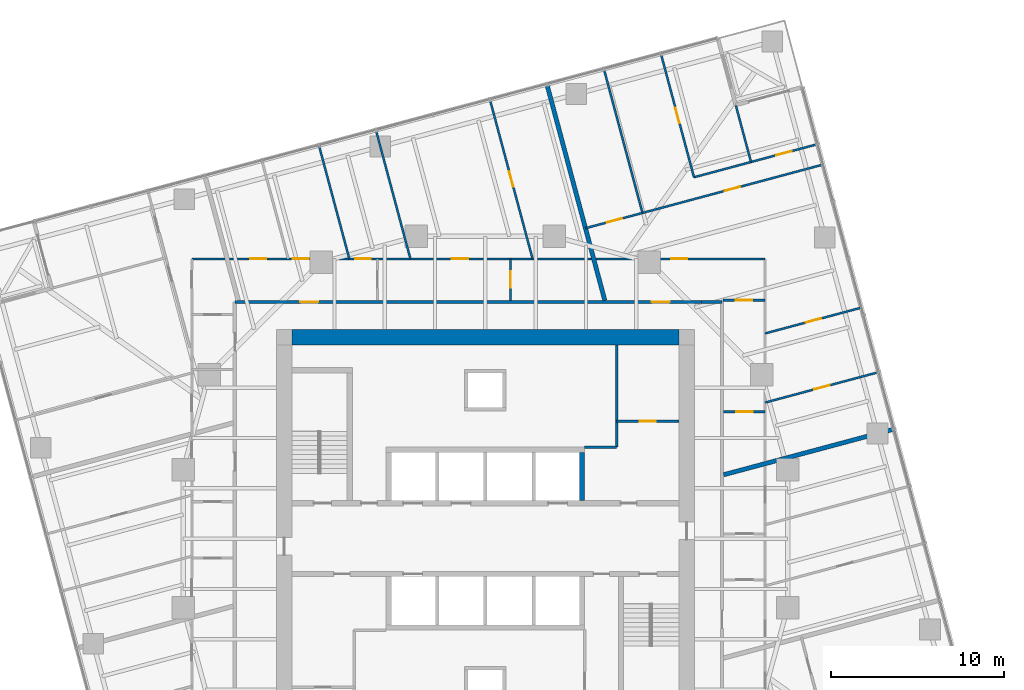
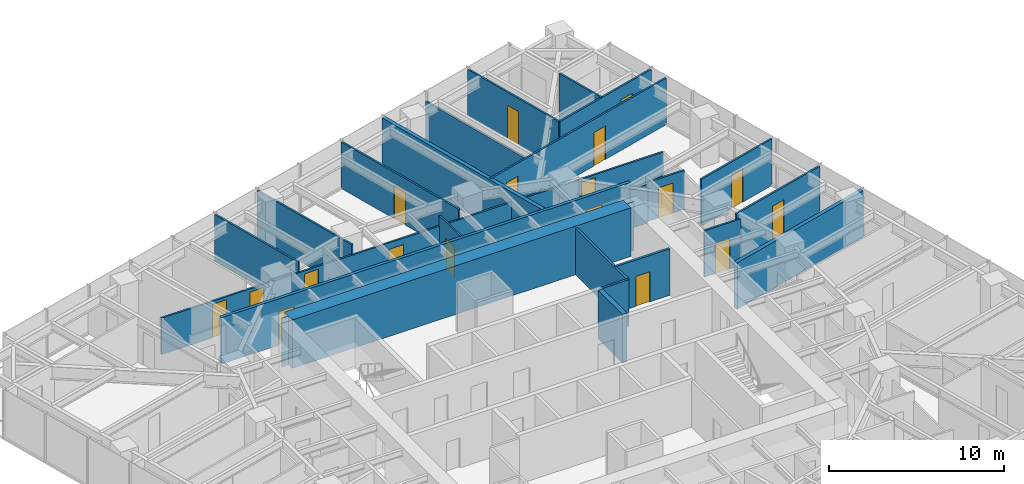
# One storey, part 12 of 14: 23 walls, 18 doors, 18 openings.
"""IFC4 building model written with IfcOpenShell, lengths in metres."""

from ifc_helpers import new_model, si_unit, direction, frame, frame_2d, origin, place, context, subcontext, project, spatial, polyline, rectangle, outline, extrude, material, layer, layer_set, type_object, element, fill, save


model = new_model("IFC4")

# Units and contexts
model_context = context("Model", 3, precision=1e-05, world=origin(), true_north=direction((0.0, 1.0)))
body_context = subcontext(model_context, "Body", "Model", "MODEL_VIEW")
ifc_project = project(units=[si_unit("LENGTHUNIT", "METRE"), si_unit("AREAUNIT", "SQUARE_METRE"), si_unit("VOLUMEUNIT", "CUBIC_METRE"), si_unit("PLANEANGLEUNIT", "RADIAN"), si_unit("MASSUNIT", "GRAM", prefix="KILO")], contexts=[model_context])

# Site, building, storey
site_placement = place(None, origin())
site = spatial("IfcSite", under=ifc_project, at=site_placement, CompositionType="ELEMENT")
building_placement = place(site_placement, origin())
building = spatial("IfcBuilding", under=site, at=building_placement, Name="Torsade Residences", CompositionType="ELEMENT")
storey_placement = place(building_placement, frame((0.0, 0.0, 125.199951171875)))
storey = spatial("IfcBuildingStorey", under=building, at=storey_placement, Name="L34", CompositionType="ELEMENT", Elevation=125.199951171875)

# Walls
ifc_material_1 = material(Name="Concrete 80 MPa", Category="concrete")
ifc_layer_1 = layer(ifc_material_1, 0.300048828125)
ifc_layer_set_1 = layer_set([ifc_layer_1], Name="Concrete 80 MPa")
wall_type_1 = type_object("IfcWallType", Name="CORE INTERNAL WALL 300", PredefinedType="SHEAR", material=ifc_layer_set_1)
wall_1_placement = place(storey_placement, frame((45.60009765625, 32.199951171875, 0.0), z_axis=(0.0, 0.0, 1.0), x_axis=(0.0, 1.0, 0.0)))
element("IfcWall", 1, at=wall_1_placement, inside=storey, type_object=wall_type_1, Name="Core wall DN4 L34", PredefinedType="SHEAR", context=body_context, shape_type="SweptSolid", body=[
    extrude(rectangle(XDim=2.800048828125, YDim=0.300048828125, at=frame_2d((1.39990234375, 0.0))), origin(), (0.0, 0.0, 1.0), 3.400146484375),
])
ifc_material_2 = material(Name="Concrete 80 MPa", Category="concrete")
ifc_layer_2 = layer(ifc_material_2, 0.89990234375)
ifc_layer_set_2 = layer_set([ifc_layer_2], Name="Concrete 80 MPa")
wall_type_2 = type_object("IfcWallType", Name="CORE WALL 900", PredefinedType="SHEAR", material=ifc_layer_set_2)
wall_2_placement = place(storey_placement, frame((28.800048828125, 41.64990234375, 0.0), z_axis=(0.0, 0.0, 1.0), x_axis=(1.0, 0.0, 0.0)))
element("IfcWall", 2, at=wall_2_placement, inside=storey, type_object=wall_type_2, Name="Core wall N L34", PredefinedType="SHEAR", context=body_context, shape_type="SweptSolid", body=[
    extrude(outline(polyline([(0.0, -0.449951171875), (22.39990234375, -0.449951171875), (22.39990234375, -0.02490234375), (22.849853515625, -0.02490234375), (22.849853515625, 0.02490234375), (22.39990234375, 0.02490234375), (22.39990234375, 0.449951171875), (0.0, 0.449951171875), (0.0, 0.02490234375), (-0.449951171875, 0.02490234375), (-0.449951171875, -0.02490234375), (0.0, -0.02490234375), (0.0, -0.449951171875)])), origin(), (0.0, 0.0, 1.0), 3.400146484375),
])
ifc_material_3 = material(Name="Plasterboard on steel stud", Category="steel")
ifc_layer_3 = layer(ifc_material_3, 0.199951171875)
ifc_layer_set_3 = layer_set([ifc_layer_3], Name="Plasterboard on steel stud")
wall_type_3 = type_object("IfcWallType", Name="CORRIDOR WALL 200", PredefinedType="PARTITIONING", material=ifc_layer_set_3)
wall_3_placement = place(storey_placement, frame((53.699951171875, 43.699951171875, 0.0), z_axis=(0.0, 0.0, 1.0), x_axis=(-1.0, 0.0, 0.0)))
element("IfcWall", 3, at=wall_3_placement, inside=storey, type_object=wall_type_3, Name="Corridor wall L34", PredefinedType="PARTITIONING", context=body_context, shape_type="SweptSolid", body=[
    extrude(rectangle(XDim=1.179931640625, YDim=0.199951171875, at=frame_2d((0.58984375, 0.0))), origin(), (0.0, 0.0, 1.0), 2.72216796875),
])

# Wall, openings, doors
wall_4_placement = place(storey_placement, frame((52.52001953125, 43.699951171875, 0.0), z_axis=(0.0, 0.0, 1.0), x_axis=(-1.0, 0.0, 0.0)))
wall_4 = element("IfcWall", 4, at=wall_4_placement, inside=storey, type_object=wall_type_3, Name="Corridor wall L34", PredefinedType="PARTITIONING", context=body_context, shape_type="SweptSolid", body=[
    extrude(rectangle(XDim=27.02001953125, YDim=0.199951171875, at=frame_2d((13.510009765625, 0.0))), origin(), (0.0, 0.0, 1.0), 3.25),
])
opening_1_placement = place(wall_4_placement, frame((22.2080078125, 0.0, 0.0)))
opening_1 = element("IfcOpeningElement", 5, at=opening_1_placement, cuts=wall_4, Name="Opening D01", PredefinedType="OPENING", context=body_context, shape_type="SweptSolid", body=[
    extrude(rectangle(XDim=1.02001953125, YDim=2.340087890625, at=frame_2d((0.510009765625, 1.169921875))), frame((0.0, 0.10986328125, 0.0), z_axis=(0.0, -1.0, 0.0), x_axis=(1.0, 0.0, 0.0)), (0.0, 0.0, 1.0), 0.219970703125),
])
opening_2_placement = place(wall_4_placement, frame((1.855712890625, 0.0, 0.0)))
opening_2 = element("IfcOpeningElement", 6, at=opening_2_placement, cuts=wall_4, Name="Opening D01", PredefinedType="OPENING", context=body_context, shape_type="SweptSolid", body=[
    extrude(rectangle(XDim=1.02001953125, YDim=2.340087890625, at=frame_2d((0.510009765625, 1.169921875))), frame((0.0, 0.10986328125, 0.0), z_axis=(0.0, -1.0, 0.0), x_axis=(1.0, 0.0, 0.0)), (0.0, 0.0, 1.0), 0.219970703125),
])
ifc_material_4 = material(Name="Solid-core timber fire door", Category="wood")
door_type_1 = type_object("IfcDoorType", Name="APARTMENT ENTRY DOOR 1020x2340", OperationType="NOTDEFINED", PredefinedType="DOOR", material=ifc_material_4)
door_1_placement = place(opening_1_placement, origin())
door_1 = element("IfcDoor", 7, at=door_1_placement, inside=storey, type_object=door_type_1, Name="Door Residential corridor to Kitchen and dining", OperationType="SINGLE_SWING_LEFT", OverallHeight=2.340087890625, OverallWidth=1.02001953125, PredefinedType="DOOR", context=body_context, shape_type="SweptSolid", body=[
    extrude(rectangle(XDim=1.02001953125, YDim=2.340087890625, at=frame_2d((0.510009765625, 1.169921875))), frame((0.0, 0.02490234375, 0.0), z_axis=(0.0, -1.0, 0.0), x_axis=(1.0, 0.0, 0.0)), (0.0, 0.0, 1.0), 0.050048828125),
])
fill(opening_1, door_1)
door_2_placement = place(opening_2_placement, origin())
door_2 = element("IfcDoor", 8, at=door_2_placement, inside=storey, type_object=door_type_1, Name="Door Residential corridor to Kitchen and dining", OperationType="SINGLE_SWING_RIGHT", OverallHeight=2.340087890625, OverallWidth=1.02001953125, PredefinedType="DOOR", context=body_context, shape_type="SweptSolid", body=[
    extrude(rectangle(XDim=1.02001953125, YDim=2.340087890625, at=frame_2d((0.510009765625, 1.169921875))), frame((0.0, 0.02490234375, 0.0), z_axis=(0.0, -1.0, 0.0), x_axis=(1.0, 0.0, 0.0)), (0.0, 0.0, 1.0), 0.050048828125),
])
fill(opening_2, door_2)

# Wall, opening, door
ifc_material_5 = material(Name="Plasterboard on steel stud", Category="steel")
ifc_layer_4 = layer(ifc_material_5, 0.1201171875)
ifc_layer_set_4 = layer_set([ifc_layer_4], Name="Plasterboard on steel stud")
wall_type_4 = type_object("IfcWallType", Name="PARTITION 120", PredefinedType="PARTITIONING", material=ifc_layer_set_4)
wall_5_placement = place(storey_placement, frame((56.199951171875, 43.800048828125, 0.0), z_axis=(0.0, 0.0, 1.0), x_axis=(-1.0, 0.0, 0.0)))
wall_5 = element("IfcWall", 9, at=wall_5_placement, inside=storey, type_object=wall_type_4, Name="Partition L34", PredefinedType="PARTITIONING", context=body_context, shape_type="SweptSolid", body=[
    extrude(rectangle(XDim=2.449951171875, YDim=0.1201171875, at=frame_2d((1.22509765625, 0.0))), origin(), (0.0, 0.0, 1.0), 2.72216796875),
])
opening_3_placement = place(wall_5_placement, frame((0.7451171875, 0.0, 0.0)))
opening_3 = element("IfcOpeningElement", 10, at=opening_3_placement, cuts=wall_5, Name="Opening D05", PredefinedType="OPENING", context=body_context, shape_type="SweptSolid", body=[
    extrude(rectangle(XDim=0.9599609375, YDim=2.10009765625, at=frame_2d((0.47998046875, 1.050048828125))), frame((0.0, 0.070068359375, 0.0), z_axis=(0.0, -1.0, 0.0), x_axis=(1.0, 0.0, 0.0)), (0.0, 0.0, 1.0), 0.14013671875),
])
ifc_material_6 = material(Name="Hollow-core timber door in a steel cavity frame", Category="steel")
door_type_2 = type_object("IfcDoorType", Name="BATHROOM CAVITY SLIDING DOOR 960", OperationType="SLIDING_TO_LEFT", PredefinedType="DOOR", material=ifc_material_6)
door_3_placement = place(opening_3_placement, origin())
door_3 = element("IfcDoor", 11, at=door_3_placement, inside=storey, type_object=door_type_2, Name="Door Kitchen and dining to Bathroom", OperationType="SLIDING_TO_LEFT", OverallHeight=2.10009765625, OverallWidth=0.9599609375, PredefinedType="DOOR", context=body_context, shape_type="SweptSolid", body=[
    extrude(rectangle(XDim=0.9599609375, YDim=2.10009765625, at=frame_2d((0.47998046875, 1.050048828125))), frame((0.0, 0.02490234375, 0.0), z_axis=(0.0, -1.0, 0.0), x_axis=(1.0, 0.0, 0.0)), (0.0, 0.0, 1.0), 0.050048828125),
])
fill(opening_3, door_3)

# Wall, openings, doors
wall_6_placement = place(storey_placement, frame((23.0, 46.199951171875, 0.0), z_axis=(0.0, 0.0, 1.0), x_axis=(1.0, 0.0, 0.0)))
wall_6 = element("IfcWall", 12, at=wall_6_placement, inside=storey, type_object=wall_type_4, Name="Partition L34", PredefinedType="PARTITIONING", context=body_context, shape_type="SweptSolid", body=[
    extrude(rectangle(XDim=33.199951171875, YDim=0.1201171875, at=frame_2d((16.60009765625, 0.0))), origin(), (0.0, 0.0, 1.0), 2.550048828125),
])
opening_4_placement = place(wall_6_placement, frame((5.843505859375, 0.0, 0.0)))
opening_4 = element("IfcOpeningElement", 13, at=opening_4_placement, cuts=wall_6, Name="Opening D02", PredefinedType="OPENING", context=body_context, shape_type="SweptSolid", body=[
    extrude(rectangle(XDim=0.919921875, YDim=2.340087890625, at=frame_2d((0.4599609375, 1.169921875))), frame((0.0, 0.070068359375, 0.0), z_axis=(0.0, -1.0, 0.0), x_axis=(1.0, 0.0, 0.0)), (0.0, 0.0, 1.0), 0.14013671875),
])
opening_5_placement = place(wall_6_placement, frame((3.382080078125, 0.0, 0.0)))
opening_5 = element("IfcOpeningElement", 14, at=opening_5_placement, cuts=wall_6, Name="Opening D02", PredefinedType="OPENING", context=body_context, shape_type="SweptSolid", body=[
    extrude(rectangle(XDim=0.919921875, YDim=2.340087890625, at=frame_2d((0.4599609375, 1.169921875))), frame((0.0, 0.070068359375, 0.0), z_axis=(0.0, -1.0, 0.0), x_axis=(1.0, 0.0, 0.0)), (0.0, 0.0, 1.0), 0.14013671875),
])
opening_6_placement = place(wall_6_placement, frame((9.4521484375, 0.0, 0.0)))
opening_6 = element("IfcOpeningElement", 15, at=opening_6_placement, cuts=wall_6, Name="Opening D02", PredefinedType="OPENING", context=body_context, shape_type="SweptSolid", body=[
    extrude(rectangle(XDim=0.919921875, YDim=2.340087890625, at=frame_2d((0.4599609375, 1.169921875))), frame((0.0, 0.070068359375, 0.0), z_axis=(0.0, -1.0, 0.0), x_axis=(1.0, 0.0, 0.0)), (0.0, 0.0, 1.0), 0.14013671875),
])
opening_7_placement = place(wall_6_placement, frame((27.775390625, 0.0, 0.0)))
opening_7 = element("IfcOpeningElement", 16, at=opening_7_placement, cuts=wall_6, Name="Opening D02", PredefinedType="OPENING", context=body_context, shape_type="SweptSolid", body=[
    extrude(rectangle(XDim=0.919921875, YDim=2.340087890625, at=frame_2d((0.4599609375, 1.169921875))), frame((0.0, 0.070068359375, 0.0), z_axis=(0.0, -1.0, 0.0), x_axis=(1.0, 0.0, 0.0)), (0.0, 0.0, 1.0), 0.14013671875),
])
opening_8_placement = place(wall_6_placement, frame((15.050048828125, 0.0, 0.0)))
opening_8 = element("IfcOpeningElement", 17, at=opening_8_placement, cuts=wall_6, Name="Opening D05", PredefinedType="OPENING", context=body_context, shape_type="SweptSolid", body=[
    extrude(rectangle(XDim=0.9599609375, YDim=2.10009765625, at=frame_2d((0.47998046875, 1.050048828125))), frame((0.0, 0.070068359375, 0.0), z_axis=(0.0, -1.0, 0.0), x_axis=(1.0, 0.0, 0.0)), (0.0, 0.0, 1.0), 0.14013671875),
])
door_4_placement = place(opening_8_placement, origin())
door_4 = element("IfcDoor", 18, at=door_4_placement, inside=storey, type_object=door_type_2, Name="Door Bathroom to Living room", OperationType="SLIDING_TO_LEFT", OverallHeight=2.10009765625, OverallWidth=0.9599609375, PredefinedType="DOOR", context=body_context, shape_type="SweptSolid", body=[
    extrude(rectangle(XDim=0.9599609375, YDim=2.10009765625, at=frame_2d((0.47998046875, 1.050048828125))), frame((0.0, 0.02490234375, 0.0), z_axis=(0.0, -1.0, 0.0), x_axis=(1.0, 0.0, 0.0)), (0.0, 0.0, 1.0), 0.050048828125),
])
fill(opening_8, door_4)
ifc_material_7 = material(Name="Hollow-core timber door", Category="wood")
door_type_3 = type_object("IfcDoorType", Name="INTERNAL DOOR 920x2340", OperationType="NOTDEFINED", PredefinedType="DOOR", material=ifc_material_7)
door_5_placement = place(opening_4_placement, origin())
door_5 = element("IfcDoor", 19, at=door_5_placement, inside=storey, type_object=door_type_3, Name="Door Kitchen and dining to Bedroom 3", OperationType="SINGLE_SWING_RIGHT", OverallHeight=2.340087890625, OverallWidth=0.919921875, PredefinedType="DOOR", context=body_context, shape_type="SweptSolid", body=[
    extrude(rectangle(XDim=0.919921875, YDim=2.340087890625, at=frame_2d((0.4599609375, 1.169921875))), frame((0.0, 0.02490234375, 0.0), z_axis=(0.0, -1.0, 0.0), x_axis=(1.0, 0.0, 0.0)), (0.0, 0.0, 1.0), 0.050048828125),
])
fill(opening_4, door_5)
door_6_placement = place(opening_5_placement, origin())
door_6 = element("IfcDoor", 20, at=door_6_placement, inside=storey, type_object=door_type_3, Name="Door Kitchen and dining to Study", OperationType="SINGLE_SWING_RIGHT", OverallHeight=2.340087890625, OverallWidth=0.919921875, PredefinedType="DOOR", context=body_context, shape_type="SweptSolid", body=[
    extrude(rectangle(XDim=0.919921875, YDim=2.340087890625, at=frame_2d((0.4599609375, 1.169921875))), frame((0.0, 0.02490234375, 0.0), z_axis=(0.0, -1.0, 0.0), x_axis=(1.0, 0.0, 0.0)), (0.0, 0.0, 1.0), 0.050048828125),
])
fill(opening_5, door_6)
door_7_placement = place(opening_6_placement, origin())
door_7 = element("IfcDoor", 21, at=door_7_placement, inside=storey, type_object=door_type_3, Name="Door Kitchen and dining to Bedroom 2", OperationType="SINGLE_SWING_LEFT", OverallHeight=2.340087890625, OverallWidth=0.919921875, PredefinedType="DOOR", context=body_context, shape_type="SweptSolid", body=[
    extrude(rectangle(XDim=0.919921875, YDim=2.340087890625, at=frame_2d((0.4599609375, 1.169921875))), frame((0.0, 0.02490234375, 0.0), z_axis=(0.0, -1.0, 0.0), x_axis=(1.0, 0.0, 0.0)), (0.0, 0.0, 1.0), 0.050048828125),
])
fill(opening_6, door_7)
door_8_placement = place(opening_7_placement, origin())
door_8 = element("IfcDoor", 22, at=door_8_placement, inside=storey, type_object=door_type_3, Name="Door Kitchen and dining to Living room", OperationType="SINGLE_SWING_LEFT", OverallHeight=2.340087890625, OverallWidth=0.919921875, PredefinedType="DOOR", context=body_context, shape_type="SweptSolid", body=[
    extrude(rectangle(XDim=0.919921875, YDim=2.340087890625, at=frame_2d((0.4599609375, 1.169921875))), frame((0.0, 0.02490234375, 0.0), z_axis=(0.0, -1.0, 0.0), x_axis=(1.0, 0.0, 0.0)), (0.0, 0.0, 1.0), 0.050048828125),
])
fill(opening_7, door_8)

# Wall, opening, door
wall_7_placement = place(storey_placement, frame((56.199951171875, 37.345458984375, 0.0), z_axis=(0.0, 0.0, 1.0), x_axis=(-1.0, 0.0, 0.0)))
wall_7 = element("IfcWall", 23, at=wall_7_placement, inside=storey, type_object=wall_type_4, Name="Partition L34", PredefinedType="PARTITIONING", context=body_context, shape_type="SweptSolid", body=[
    extrude(rectangle(XDim=2.39990234375, YDim=0.1201171875, at=frame_2d((1.199951171875, 0.0))), origin(), (0.0, 0.0, 1.0), 3.25),
])
opening_9_placement = place(wall_7_placement, frame((0.719970703125, 0.0, 0.0)))
opening_9 = element("IfcOpeningElement", 24, at=opening_9_placement, cuts=wall_7, Name="Opening D05", PredefinedType="OPENING", context=body_context, shape_type="SweptSolid", body=[
    extrude(rectangle(XDim=0.9599609375, YDim=2.10009765625, at=frame_2d((0.47998046875, 1.050048828125))), frame((0.0, 0.070068359375, 0.0), z_axis=(0.0, -1.0, 0.0), x_axis=(1.0, 0.0, 0.0)), (0.0, 0.0, 1.0), 0.14013671875),
])
door_9_placement = place(opening_9_placement, origin())
door_9 = element("IfcDoor", 25, at=door_9_placement, inside=storey, type_object=door_type_2, Name="Door Bathroom to Ensuite", OperationType="SLIDING_TO_LEFT", OverallHeight=2.10009765625, OverallWidth=0.9599609375, PredefinedType="DOOR", context=body_context, shape_type="SweptSolid", body=[
    extrude(rectangle(XDim=0.9599609375, YDim=2.10009765625, at=frame_2d((0.47998046875, 1.050048828125))), frame((0.0, 0.02490234375, 0.0), z_axis=(0.0, -1.0, 0.0), x_axis=(1.0, 0.0, 0.0)), (0.0, 0.0, 1.0), 0.050048828125),
])
fill(opening_9, door_9)

# Wall, openings, doors
wall_8_placement = place(storey_placement, frame((45.7958984375, 47.97265625, 0.0), z_axis=(0.0, 0.0, 1.0), x_axis=(0.965921975889, 0.258833414564, 0.0)))
wall_8 = element("IfcWall", 26, at=wall_8_placement, inside=storey, type_object=wall_type_4, Name="Partition L34", PredefinedType="PARTITIONING", context=body_context, shape_type="SweptSolid", body=[
    extrude(rectangle(XDim=14.209716796875, YDim=0.1201171875, at=frame_2d((7.10498046875, 0.0))), origin(), (0.0, 0.0, 1.0), 3.25),
])
opening_10_placement = place(wall_8_placement, frame((8.348388671875, 0.0, 0.0)))
opening_10 = element("IfcOpeningElement", 27, at=opening_10_placement, cuts=wall_8, Name="Opening D02", PredefinedType="OPENING", context=body_context, shape_type="SweptSolid", body=[
    extrude(rectangle(XDim=0.919921875, YDim=2.340087890625, at=frame_2d((0.4599609375, 1.169921875))), frame((0.0, 0.070068359375, 0.0), z_axis=(0.0, -1.0, 0.0), x_axis=(1.0, 0.0, 0.0)), (0.0, 0.0, 1.0), 0.14013671875),
])
opening_11_placement = place(wall_8_placement, frame((1.2734375, 0.0, 0.0)))
opening_11 = element("IfcOpeningElement", 28, at=opening_11_placement, cuts=wall_8, Name="Opening D02", PredefinedType="OPENING", context=body_context, shape_type="SweptSolid", body=[
    extrude(rectangle(XDim=0.919921875, YDim=2.340087890625, at=frame_2d((0.4599609375, 1.169921875))), frame((0.0, 0.070068359375, 0.0), z_axis=(0.0, -1.0, 0.0), x_axis=(1.0, 0.0, 0.0)), (0.0, 0.0, 1.0), 0.14013671875),
])
door_10_placement = place(opening_10_placement, origin())
door_10 = element("IfcDoor", 29, at=door_10_placement, inside=storey, type_object=door_type_3, Name="Door Living room to Bedroom 1", OperationType="SINGLE_SWING_RIGHT", OverallHeight=2.340087890625, OverallWidth=0.919921875, PredefinedType="DOOR", context=body_context, shape_type="SweptSolid", body=[
    extrude(rectangle(XDim=0.919921875, YDim=2.340087890625, at=frame_2d((0.4599609375, 1.169921875))), frame((0.0, 0.02490234375, 0.0), z_axis=(0.0, -1.0, 0.0), x_axis=(1.0, 0.0, 0.0)), (0.0, 0.0, 1.0), 0.050048828125),
])
fill(opening_10, door_10)
door_11_placement = place(opening_11_placement, origin())
door_11 = element("IfcDoor", 30, at=door_11_placement, inside=storey, type_object=door_type_3, Name="Door Living room to Bedroom 2", OperationType="SINGLE_SWING_RIGHT", OverallHeight=2.340087890625, OverallWidth=0.919921875, PredefinedType="DOOR", context=body_context, shape_type="SweptSolid", body=[
    extrude(rectangle(XDim=0.919921875, YDim=2.340087890625, at=frame_2d((0.4599609375, 1.169921875))), frame((0.0, 0.02490234375, 0.0), z_axis=(0.0, -1.0, 0.0), x_axis=(1.0, 0.0, 0.0)), (0.0, 0.0, 1.0), 0.050048828125),
])
fill(opening_11, door_11)

# Wall, opening, door
wall_9_placement = place(storey_placement, frame((61.741455078125, 43.365966796875, 0.0), z_axis=(0.0, 0.0, 1.0), x_axis=(-0.965924876974, -0.25882258797, 0.0)))
wall_9 = element("IfcWall", 31, at=wall_9_placement, inside=storey, type_object=wall_type_4, Name="Partition L34", PredefinedType="PARTITIONING", context=body_context, shape_type="SweptSolid", body=[
    extrude(rectangle(XDim=5.737060546875, YDim=0.1201171875, at=frame_2d((2.86865234375, 0.0))), origin(), (0.0, 0.0, 1.0), 3.25),
])
opening_12_placement = place(wall_9_placement, frame((2.388427734375, 0.0, 0.0)))
opening_12 = element("IfcOpeningElement", 32, at=opening_12_placement, cuts=wall_9, Name="Opening D02", PredefinedType="OPENING", context=body_context, shape_type="SweptSolid", body=[
    extrude(rectangle(XDim=0.919921875, YDim=2.340087890625, at=frame_2d((0.4599609375, 1.169921875))), frame((0.0, 0.070068359375, 0.0), z_axis=(0.0, -1.0, 0.0), x_axis=(1.0, 0.0, 0.0)), (0.0, 0.0, 1.0), 0.14013671875),
])
door_12_placement = place(opening_12_placement, origin())
door_12 = element("IfcDoor", 33, at=door_12_placement, inside=storey, type_object=door_type_3, Name="Door Living room to Family room", OperationType="SINGLE_SWING_RIGHT", OverallHeight=2.340087890625, OverallWidth=0.919921875, PredefinedType="DOOR", context=body_context, shape_type="SweptSolid", body=[
    extrude(rectangle(XDim=0.919921875, YDim=2.340087890625, at=frame_2d((0.4599609375, 1.169921875))), frame((0.0, 0.02490234375, 0.0), z_axis=(0.0, -1.0, 0.0), x_axis=(1.0, 0.0, 0.0)), (0.0, 0.0, 1.0), 0.050048828125),
])
fill(opening_12, door_12)

# Wall
wall_10_placement = place(storey_placement, frame((49.095947265625, 48.857177734375, 0.0), z_axis=(0.0, 0.0, 1.0), x_axis=(-0.258800415469, 0.965930817892, 0.0)))
element("IfcWall", 34, at=wall_10_placement, inside=storey, type_object=wall_type_4, Name="Partition L34", PredefinedType="PARTITIONING", context=body_context, shape_type="SweptSolid", body=[
    extrude(rectangle(XDim=8.599609375, YDim=0.1201171875, at=frame_2d((4.2998046875, 0.0))), origin(), (0.0, 0.0, 1.0), 2.72216796875),
])

# Wall, opening, door
wall_11_placement = place(storey_placement, frame((50.17041015625, 58.048095703125, 0.0), z_axis=(0.0, 0.0, 1.0), x_axis=(0.258807770359, -0.965928847277, 0.0)))
wall_11 = element("IfcWall", 35, at=wall_11_placement, inside=storey, type_object=wall_type_4, Name="Partition L34", PredefinedType="PARTITIONING", context=body_context, shape_type="SweptSolid", body=[
    extrude(rectangle(XDim=7.376708984375, YDim=0.1201171875, at=frame_2d((3.6884765625, 0.0))), origin(), (0.0, 0.0, 1.0), 3.25),
])
opening_13_placement = place(wall_11_placement, frame((3.208251953125, 0.0, 0.0)))
opening_13 = element("IfcOpeningElement", 36, at=opening_13_placement, cuts=wall_11, Name="Opening D02", PredefinedType="OPENING", context=body_context, shape_type="SweptSolid", body=[
    extrude(rectangle(XDim=0.919921875, YDim=2.340087890625, at=frame_2d((0.4599609375, 1.169921875))), frame((0.0, 0.070068359375, 0.0), z_axis=(0.0, -1.0, 0.0), x_axis=(1.0, 0.0, 0.0)), (0.0, 0.0, 1.0), 0.14013671875),
])
door_13_placement = place(opening_13_placement, origin())
door_13 = element("IfcDoor", 37, at=door_13_placement, inside=storey, type_object=door_type_3, Name="Door Bedroom 1 to Bedroom 3", OperationType="SINGLE_SWING_RIGHT", OverallHeight=2.340087890625, OverallWidth=0.919921875, PredefinedType="DOOR", context=body_context, shape_type="SweptSolid", body=[
    extrude(rectangle(XDim=0.919921875, YDim=2.340087890625, at=frame_2d((0.4599609375, 1.169921875))), frame((0.0, 0.02490234375, 0.0), z_axis=(0.0, -1.0, 0.0), x_axis=(1.0, 0.0, 0.0)), (0.0, 0.0, 1.0), 0.050048828125),
])
fill(opening_13, door_13)

wall_12_placement = place(storey_placement, frame((52.07958984375, 50.922607421875, 0.0), z_axis=(0.0, 0.0, 1.0), x_axis=(0.965920573283, 0.258838648792, 0.0)))
wall_12 = element("IfcWall", 38, at=wall_12_placement, inside=storey, type_object=wall_type_4, Name="Partition L34", PredefinedType="PARTITIONING", context=body_context, shape_type="SweptSolid", body=[
    extrude(rectangle(XDim=7.376953125, YDim=0.1201171875, at=frame_2d((3.6884765625, 0.0))), origin(), (0.0, 0.0, 1.0), 3.25),
])
opening_14_placement = place(wall_12_placement, frame((4.931640625, 0.0, 0.0)))
opening_14 = element("IfcOpeningElement", 39, at=opening_14_placement, cuts=wall_12, Name="Opening D02", PredefinedType="OPENING", context=body_context, shape_type="SweptSolid", body=[
    extrude(rectangle(XDim=0.919921875, YDim=2.340087890625, at=frame_2d((0.4599609375, 1.169921875))), frame((0.0, 0.070068359375, 0.0), z_axis=(0.0, -1.0, 0.0), x_axis=(1.0, 0.0, 0.0)), (0.0, 0.0, 1.0), 0.14013671875),
])
door_14_placement = place(opening_14_placement, origin())
door_14 = element("IfcDoor", 40, at=door_14_placement, inside=storey, type_object=door_type_3, Name="Door Bedroom 1 to Media room", OperationType="SINGLE_SWING_LEFT", OverallHeight=2.340087890625, OverallWidth=0.919921875, PredefinedType="DOOR", context=body_context, shape_type="SweptSolid", body=[
    extrude(rectangle(XDim=0.919921875, YDim=2.340087890625, at=frame_2d((0.4599609375, 1.169921875))), frame((0.0, 0.02490234375, 0.0), z_axis=(0.0, -1.0, 0.0), x_axis=(1.0, 0.0, 0.0)), (0.0, 0.0, 1.0), 0.050048828125),
])
fill(opening_14, door_14)

# Wall
wall_13_placement = place(storey_placement, frame((54.506103515625, 55.068603515625, 0.0), z_axis=(0.0, 0.0, 1.0), x_axis=(0.258783069815, -0.96593546512, 0.0)))
element("IfcWall", 41, at=wall_13_placement, inside=storey, type_object=wall_type_4, Name="Partition L34", PredefinedType="PARTITIONING", context=body_context, shape_type="SweptSolid", body=[
    extrude(rectangle(XDim=3.37646484375, YDim=0.1201171875, at=frame_2d((1.688232421875, 0.0))), origin(), (0.0, 0.0, 1.0), 3.25),
])

# Wall, opening, door
wall_14_placement = place(storey_placement, frame((56.199951171875, 37.8779296875, 0.0), z_axis=(0.0, 0.0, 1.0), x_axis=(0.96591892777, 0.258844789354, 0.0)))
wall_14 = element("IfcWall", 42, at=wall_14_placement, inside=storey, type_object=wall_type_4, Name="Partition L34", PredefinedType="PARTITIONING", context=body_context, shape_type="SweptSolid", body=[
    extrude(rectangle(XDim=6.77294921875, YDim=0.1201171875, at=frame_2d((3.386474609375, 0.0))), origin(), (0.0, 0.0, 1.0), 3.25),
])
opening_15_placement = place(wall_14_placement, frame((2.946533203125, 0.0, 0.0)))
opening_15 = element("IfcOpeningElement", 43, at=opening_15_placement, cuts=wall_14, Name="Opening D02", PredefinedType="OPENING", context=body_context, shape_type="SweptSolid", body=[
    extrude(rectangle(XDim=0.919921875, YDim=2.340087890625, at=frame_2d((0.4599609375, 1.169921875))), frame((0.0, 0.070068359375, 0.0), z_axis=(0.0, -1.0, 0.0), x_axis=(1.0, 0.0, 0.0)), (0.0, 0.0, 1.0), 0.14013671875),
])
door_15_placement = place(opening_15_placement, origin())
door_15 = element("IfcDoor", 44, at=door_15_placement, inside=storey, type_object=door_type_3, Name="Door Family room to Study", OperationType="SINGLE_SWING_LEFT", OverallHeight=2.340087890625, OverallWidth=0.919921875, PredefinedType="DOOR", context=body_context, shape_type="SweptSolid", body=[
    extrude(rectangle(XDim=0.919921875, YDim=2.340087890625, at=frame_2d((0.4599609375, 1.169921875))), frame((0.0, 0.02490234375, 0.0), z_axis=(0.0, -1.0, 0.0), x_axis=(1.0, 0.0, 0.0)), (0.0, 0.0, 1.0), 0.050048828125),
])
fill(opening_15, door_15)

wall_15_placement = place(storey_placement, frame((41.45263671875, 46.199951171875, 0.0), z_axis=(0.0, 0.0, 1.0), x_axis=(0.0, -1.0, 0.0)))
wall_15 = element("IfcWall", 45, at=wall_15_placement, inside=storey, type_object=wall_type_4, Name="Partition L34", PredefinedType="PARTITIONING", context=body_context, shape_type="SweptSolid", body=[
    extrude(rectangle(XDim=2.39990234375, YDim=0.1201171875, at=frame_2d((1.199951171875, 0.0))), origin(), (0.0, 0.0, 1.0), 3.25),
])
opening_16_placement = place(wall_15_placement, frame((0.719970703125, 0.0, 0.0)))
opening_16 = element("IfcOpeningElement", 46, at=opening_16_placement, cuts=wall_15, Name="Opening D05", PredefinedType="OPENING", context=body_context, shape_type="SweptSolid", body=[
    extrude(rectangle(XDim=0.9599609375, YDim=2.10009765625, at=frame_2d((0.47998046875, 1.050048828125))), frame((0.0, 0.070068359375, 0.0), z_axis=(0.0, -1.0, 0.0), x_axis=(1.0, 0.0, 0.0)), (0.0, 0.0, 1.0), 0.14013671875),
])
door_16_placement = place(opening_16_placement, origin())
door_16 = element("IfcDoor", 47, at=door_16_placement, inside=storey, type_object=door_type_2, Name="Door Bathroom to Ensuite", OperationType="SLIDING_TO_LEFT", OverallHeight=2.10009765625, OverallWidth=0.9599609375, PredefinedType="DOOR", context=body_context, shape_type="SweptSolid", body=[
    extrude(rectangle(XDim=0.9599609375, YDim=2.10009765625, at=frame_2d((0.47998046875, 1.050048828125))), frame((0.0, 0.02490234375, 0.0), z_axis=(0.0, -1.0, 0.0), x_axis=(1.0, 0.0, 0.0)), (0.0, 0.0, 1.0), 0.050048828125),
])
fill(opening_16, door_16)

wall_16_placement = place(storey_placement, frame((40.269775390625, 55.395263671875, 0.0), z_axis=(0.0, 0.0, 1.0), x_axis=(0.25881812666, -0.965926072385, 0.0)))
wall_16 = element("IfcWall", 48, at=wall_16_placement, inside=storey, type_object=wall_type_4, Name="Partition L34", PredefinedType="PARTITIONING", context=body_context, shape_type="SweptSolid", body=[
    extrude(rectangle(XDim=9.519775390625, YDim=0.1201171875, at=frame_2d((4.759765625, 0.0))), origin(), (0.0, 0.0, 1.0), 3.25),
])
opening_17_placement = place(wall_16_placement, frame((4.27978515625, 0.0, 0.0)))
opening_17 = element("IfcOpeningElement", 49, at=opening_17_placement, cuts=wall_16, Name="Opening D02", PredefinedType="OPENING", context=body_context, shape_type="SweptSolid", body=[
    extrude(rectangle(XDim=0.919921875, YDim=2.340087890625, at=frame_2d((0.4599609375, 1.169921875))), frame((0.0, 0.070068359375, 0.0), z_axis=(0.0, -1.0, 0.0), x_axis=(1.0, 0.0, 0.0)), (0.0, 0.0, 1.0), 0.14013671875),
])
door_17_placement = place(opening_17_placement, origin())
door_17 = element("IfcDoor", 50, at=door_17_placement, inside=storey, type_object=door_type_3, Name="Door Living room to Bedroom 1", OperationType="SINGLE_SWING_LEFT", OverallHeight=2.340087890625, OverallWidth=0.919921875, PredefinedType="DOOR", context=body_context, shape_type="SweptSolid", body=[
    extrude(rectangle(XDim=0.919921875, YDim=2.340087890625, at=frame_2d((0.4599609375, 1.169921875))), frame((0.0, 0.02490234375, 0.0), z_axis=(0.0, -1.0, 0.0), x_axis=(1.0, 0.0, 0.0)), (0.0, 0.0, 1.0), 0.050048828125),
])
fill(opening_17, door_17)

# Walls
wall_17_placement = place(storey_placement, frame((35.6591796875, 46.199951171875, 0.0), z_axis=(0.0, 0.0, 1.0), x_axis=(-0.258826555959, 0.96592381373, 0.0)))
element("IfcWall", 51, at=wall_17_placement, inside=storey, type_object=wall_type_4, Name="Partition L34", PredefinedType="PARTITIONING", context=body_context, shape_type="SweptSolid", body=[
    extrude(rectangle(XDim=7.6884765625, YDim=0.1201171875, at=frame_2d((3.84423828125, 0.0))), origin(), (0.0, 0.0, 1.0), 3.25),
])
wall_18_placement = place(storey_placement, frame((32.1220703125, 46.199951171875, 0.0), z_axis=(0.0, 0.0, 1.0), x_axis=(-0.258811158187, 0.965927939547, 0.0)))
element("IfcWall", 52, at=wall_18_placement, inside=storey, type_object=wall_type_4, Name="Partition L34", PredefinedType="PARTITIONING", context=body_context, shape_type="SweptSolid", body=[
    extrude(rectangle(XDim=6.77294921875, YDim=0.1201171875, at=frame_2d((3.386474609375, 0.0))), origin(), (0.0, 0.0, 1.0), 3.25),
])
ifc_material_8 = material(Name="Masonry-lined stud party wall", Category="masonry")
ifc_layer_5 = layer(ifc_material_8, 0.25)
ifc_layer_set_5 = layer_set([ifc_layer_5], Name="Masonry-lined stud party wall")
wall_type_5 = type_object("IfcWallType", Name="PARTY WALL 250", PredefinedType="PARTITIONING", material=ifc_layer_set_5)
wall_19_placement = place(storey_placement, frame((63.665283203125, 36.341064453125, 0.0), z_axis=(0.0, 0.0, 1.0), x_axis=(-0.965927365002, -0.258813302479, 0.0)))
element("IfcWall", 53, at=wall_19_placement, inside=storey, type_object=wall_type_5, Name="Party wall L34", PredefinedType="PARTITIONING", context=body_context, shape_type="SweptSolid", body=[
    extrude(rectangle(XDim=10.2197265625, YDim=0.25, at=frame_2d((5.10986328125, 0.0))), origin(), (0.0, 0.0, 1.0), 3.25),
])
wall_20_placement = place(storey_placement, frame((43.5595703125, 56.318115234375, 0.0), z_axis=(0.0, 0.0, 1.0), x_axis=(0.258822671559, -0.965924854576, 0.0)))
element("IfcWall", 54, at=wall_20_placement, inside=storey, type_object=wall_type_5, Name="Party wall L34", PredefinedType="PARTITIONING", context=body_context, shape_type="SweptSolid", body=[
    extrude(rectangle(XDim=12.96630859375, YDim=0.25, at=frame_2d((6.483154296875, 0.0))), origin(), (0.0, 0.0, 1.0), 3.25),
])
ifc_material_9 = material(Name="Reinforced blockwork", Category="masonry")
ifc_layer_6 = layer(ifc_material_9, 0.14990234375)
ifc_layer_set_6 = layer_set([ifc_layer_6], Name="Reinforced blockwork")
wall_type_6 = type_object("IfcWallType", Name="SERVICE ROOM WALL 150", PredefinedType="SOLIDWALL", material=ifc_layer_set_6)
wall_21_placement = place(storey_placement, frame((47.60009765625, 41.199951171875, 0.0), z_axis=(0.0, 0.0, 1.0), x_axis=(0.0, -1.0, 0.0)))
element("IfcWall", 55, at=wall_21_placement, inside=storey, type_object=wall_type_6, Name="Service room wall L34", PredefinedType="SOLIDWALL", context=body_context, shape_type="SweptSolid", body=[
    extrude(rectangle(XDim=5.89990234375, YDim=0.14990234375, at=frame_2d((2.949951171875, 0.0))), origin(), (0.0, 0.0, 1.0), 3.25),
])
wall_22_placement = place(storey_placement, frame((47.60009765625, 35.300048828125, 0.0), z_axis=(0.0, 0.0, 1.0), x_axis=(-1.0, 0.0, 0.0)))
element("IfcWall", 56, at=wall_22_placement, inside=storey, type_object=wall_type_6, Name="Service room wall L34", PredefinedType="SOLIDWALL", context=body_context, shape_type="SweptSolid", body=[
    extrude(rectangle(XDim=1.85009765625, YDim=0.14990234375, at=frame_2d((0.925048828125, 0.0))), origin(), (0.0, 0.0, 1.0), 3.25),
])

# Wall, opening, door
wall_23_placement = place(storey_placement, frame((47.60009765625, 36.800048828125, 0.0), z_axis=(0.0, 0.0, 1.0), x_axis=(1.0, 0.0, 0.0)))
wall_23 = element("IfcWall", 57, at=wall_23_placement, inside=storey, type_object=wall_type_6, Name="Service room wall L34", PredefinedType="SOLIDWALL", context=body_context, shape_type="SweptSolid", body=[
    extrude(rectangle(XDim=3.599853515625, YDim=0.14990234375, at=frame_2d((1.7998046875, 0.0))), origin(), (0.0, 0.0, 1.0), 3.25),
])
opening_18_placement = place(wall_23_placement, frame((1.340087890625, 0.0, 0.0)))
opening_18 = element("IfcOpeningElement", 58, at=opening_18_placement, cuts=wall_23, Name="Opening D06", PredefinedType="OPENING", context=body_context, shape_type="SweptSolid", body=[
    extrude(rectangle(XDim=0.919921875, YDim=2.10009765625, at=frame_2d((0.4599609375, 1.050048828125))), frame((0.0, 0.0849609375, 0.0), z_axis=(0.0, -1.0, 0.0), x_axis=(1.0, 0.0, 0.0)), (0.0, 0.0, 1.0), 0.169921875),
])
ifc_material_10 = material(Name="Steel-framed fire door", Category="steel")
door_type_4 = type_object("IfcDoorType", Name="FIRE DOOR 920", OperationType="NOTDEFINED", PredefinedType="DOOR", material=ifc_material_10)
door_18_placement = place(opening_18_placement, origin())
door_18 = element("IfcDoor", 59, at=door_18_placement, inside=storey, type_object=door_type_4, Name="Door Refuse room to Bulky waste store", OperationType="SINGLE_SWING_LEFT", OverallHeight=2.10009765625, OverallWidth=0.919921875, PredefinedType="DOOR", context=body_context, shape_type="SweptSolid", body=[
    extrude(rectangle(XDim=0.919921875, YDim=2.10009765625, at=frame_2d((0.4599609375, 1.050048828125))), frame((0.0, 0.02490234375, 0.0), z_axis=(0.0, -1.0, 0.0), x_axis=(1.0, 0.0, 0.0)), (0.0, 0.0, 1.0), 0.050048828125),
])
fill(opening_18, door_18)

save(model, "model.ifc")
